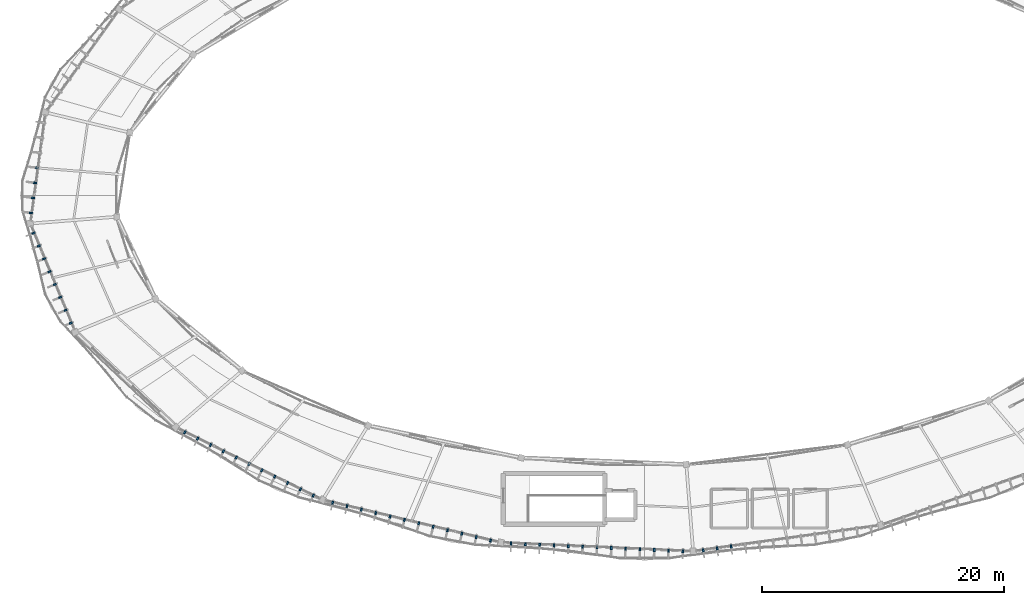
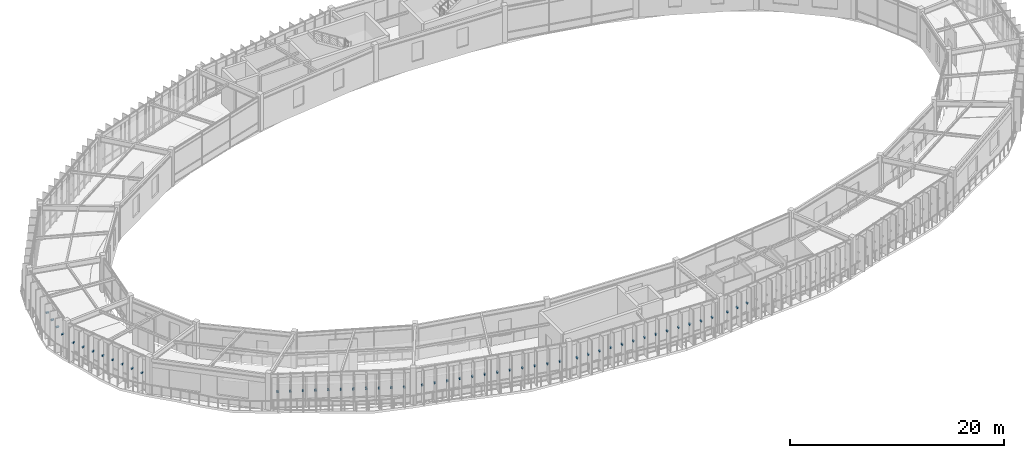
# One storey, part 71 of 78: 51 discrete accessories.
"""IFC4 building model written with IfcOpenShell, lengths in metres."""

from ifc_helpers import new_model, si_unit, direction, frame, origin, origin_2d, place, context, subcontext, project, spatial, rectangle, extrude, material, type_object, element, save


model = new_model("IFC4")

# Units and contexts
model_context = context("Model", 3, precision=1e-05, world=origin(), true_north=direction((0.0, 1.0)))
body_context = subcontext(model_context, "Body", "Model", "MODEL_VIEW")
ifc_project = project(units=[si_unit("LENGTHUNIT", "METRE"), si_unit("AREAUNIT", "SQUARE_METRE"), si_unit("VOLUMEUNIT", "CUBIC_METRE"), si_unit("PLANEANGLEUNIT", "RADIAN"), si_unit("MASSUNIT", "GRAM", prefix="KILO"), si_unit("THERMODYNAMICTEMPERATUREUNIT", "KELVIN"), si_unit("POWERUNIT", "WATT")], contexts=[model_context])

# Site, building, storey
site_placement = place(None, origin())
site = spatial("IfcSite", under=ifc_project, at=site_placement, CompositionType="ELEMENT")
building_placement = place(site_placement, origin())
building = spatial("IfcBuilding", under=site, at=building_placement, Name="Darbajah Civic Hall", CompositionType="ELEMENT")
storey_placement = place(building_placement, frame((0.0, 0.0, 26.39990234375)))
storey = spatial("IfcBuildingStorey", under=building, at=storey_placement, Name="L06", CompositionType="ELEMENT", Elevation=26.39990234375)

# Discrete accessories
ifc_material = material(Name="Stainless Steel S355JR", Category="steel")
discrete_accessory_type = type_object("IfcDiscreteAccessoryType", Name="Stainless Facade Support Bracket", PredefinedType="BRACKET", material=ifc_material)
for number, where, z_axis, x_axis, name in (
    (1, (38.82373046875, 92.093994140625, 1.89013671875), (0.0, 0.0, 1.0), (-0.990865897387, 0.134850930274, 0.0), "L06 shading fin bracket 09-4"),
    (2, (38.654541015625, 90.85107421875, 1.89013671875), (0.0, 0.0, 1.0), (-0.990865897387, 0.134850930274, 0.0), "L06 shading fin bracket 09-5"),
    (3, (38.4853515625, 89.60791015625, 1.89013671875), (0.0, 0.0, 1.0), (-0.990865897387, 0.134850930274, 0.0), "L06 shading fin bracket 09-6"),
    (4, (38.31640625, 88.36474609375, 1.89013671875), (0.0, 0.0, 1.0), (-0.990865897387, 0.134850930274, 0.0), "L06 shading fin bracket 09-7"),
    (5, (38.51904296875, 86.697998046875, 1.89013671875), (0.0, 0.0, 1.0), (-0.923612143954, -0.383328328644, 0.0), "L06 shading fin bracket 10-1"),
    (6, (38.960693359375, 85.63427734375, 1.89013671875), (0.0, 0.0, 1.0), (-0.923612143954, -0.383328328644, 0.0), "L06 shading fin bracket 10-2"),
    (7, (39.402099609375, 84.570556640625, 1.89013671875), (0.0, 0.0, 1.0), (-0.923612143954, -0.383328328644, 0.0), "L06 shading fin bracket 10-3"),
    (8, (39.843505859375, 83.507080078125, 1.89013671875), (0.0, 0.0, 1.0), (-0.923612143954, -0.383328328644, 0.0), "L06 shading fin bracket 10-4"),
    (9, (40.284912109375, 82.443359375, 1.89013671875), (0.0, 0.0, 1.0), (-0.923612143954, -0.383328328644, 0.0), "L06 shading fin bracket 10-5"),
    (10, (40.726318359375, 81.379638671875, 1.89013671875), (0.0, 0.0, 1.0), (-0.923612143954, -0.383328328644, 0.0), "L06 shading fin bracket 10-6"),
    (11, (41.16796875, 80.31591796875, 1.89013671875), (0.0, 0.0, 1.0), (-0.923612143954, -0.383328328644, 0.0), "L06 shading fin bracket 10-7"),
    (12, (41.609375, 79.252197265625, 1.89013671875), (0.0, 0.0, 1.0), (-0.923612143954, -0.383328328644, 0.0), "L06 shading fin bracket 10-8"),
    (13, (51.049560546875, 70.213623046875, 1.89013671875), (0.0, 0.0, 1.0), (-0.442914717678, -0.89656374724, 0.0), "L06 shading fin bracket 12-1"),
    (14, (52.111572265625, 69.68896484375, 1.89013671875), (0.0, 0.0, 1.0), (-0.442914717678, -0.89656374724, 0.0), "L06 shading fin bracket 12-2"),
    (15, (53.173583984375, 69.164306640625, 1.89013671875), (0.0, 0.0, 1.0), (-0.442914717678, -0.89656374724, 0.0), "L06 shading fin bracket 12-3"),
    (16, (54.235595703125, 68.6396484375, 1.89013671875), (0.0, 0.0, 1.0), (-0.442914717678, -0.89656374724, 0.0), "L06 shading fin bracket 12-4"),
    (17, (55.29736328125, 68.114990234375, 1.89013671875), (0.0, 0.0, 1.0), (-0.442914717678, -0.89656374724, 0.0), "L06 shading fin bracket 12-5"),
    (18, (56.359375, 67.59033203125, 1.89013671875), (0.0, 0.0, 1.0), (-0.442914717678, -0.89656374724, 0.0), "L06 shading fin bracket 12-6"),
    (19, (57.42138671875, 67.06591796875, 1.89013671875), (0.0, 0.0, 1.0), (-0.442914717678, -0.89656374724, 0.0), "L06 shading fin bracket 12-7"),
    (20, (58.4833984375, 66.541015625, 1.89013671875), (0.0, 0.0, 1.0), (-0.442914717678, -0.89656374724, 0.0), "L06 shading fin bracket 12-8"),
    (21, (59.545166015625, 66.0166015625, 1.89013671875), (0.0, 0.0, 1.0), (-0.442914717678, -0.89656374724, 0.0), "L06 shading fin bracket 12-9"),
    (22, (60.607177734375, 65.491943359375, 1.89013671875), (0.0, 0.0, 1.0), (-0.442914717678, -0.89656374724, 0.0), "L06 shading fin bracket 12-10"),
    (23, (61.669189453125, 64.96728515625, 1.89013671875), (0.0, 0.0, 1.0), (-0.442914717678, -0.89656374724, 0.0), "L06 shading fin bracket 12-11"),
    (24, (63.277587890625, 64.3876953125, 1.89013671875), (0.0, 0.0, 1.0), (-0.232936200179, -0.972492018808, 0.0), "L06 shading fin bracket 13-1"),
    (25, (64.465087890625, 64.103271484375, 1.89013671875), (0.0, 0.0, 1.0), (-0.232936200179, -0.972492018808, 0.0), "L06 shading fin bracket 13-2"),
    (26, (65.65283203125, 63.818603515625, 1.89013671875), (0.0, 0.0, 1.0), (-0.232936200179, -0.972492018808, 0.0), "L06 shading fin bracket 13-3"),
    (27, (66.84033203125, 63.5341796875, 1.89013671875), (0.0, 0.0, 1.0), (-0.232936200179, -0.972492018808, 0.0), "L06 shading fin bracket 13-4"),
    (28, (68.028076171875, 63.24951171875, 1.89013671875), (0.0, 0.0, 1.0), (-0.232936200179, -0.972492018808, 0.0), "L06 shading fin bracket 13-5"),
    (29, (69.2158203125, 62.965087890625, 1.89013671875), (0.0, 0.0, 1.0), (-0.232936200179, -0.972492018808, 0.0), "L06 shading fin bracket 13-6"),
    (30, (70.4033203125, 62.680419921875, 1.89013671875), (0.0, 0.0, 1.0), (-0.232936200179, -0.972492018808, 0.0), "L06 shading fin bracket 13-7"),
    (31, (71.5908203125, 62.39599609375, 1.89013671875), (0.0, 0.0, 1.0), (-0.232936200179, -0.972492018808, 0.0), "L06 shading fin bracket 13-8"),
    (32, (72.778564453125, 62.111328125, 1.89013671875), (0.0, 0.0, 1.0), (-0.232936200179, -0.972492018808, 0.0), "L06 shading fin bracket 13-9"),
    (33, (73.96630859375, 61.826904296875, 1.89013671875), (0.0, 0.0, 1.0), (-0.232936200179, -0.972492018808, 0.0), "L06 shading fin bracket 13-10"),
    (34, (75.15380859375, 61.542236328125, 1.89013671875), (0.0, 0.0, 1.0), (-0.232936200179, -0.972492018808, 0.0), "L06 shading fin bracket 13-11"),
    (35, (76.34130859375, 61.2578125, 1.89013671875), (0.0, 0.0, 1.0), (-0.232936200179, -0.972492018808, 0.0), "L06 shading fin bracket 13-12"),
    (36, (78.03564453125, 61.0166015625, 1.89013671875), (0.0, 0.0, 1.0), (-0.045537340693, -0.998962637241, 0.0), "L06 shading fin bracket 14-1"),
    (37, (79.220703125, 60.962890625, 1.89013671875), (0.0, 0.0, 1.0), (-0.045537340693, -0.998962637241, 0.0), "L06 shading fin bracket 14-2"),
    (38, (80.405517578125, 60.90869140625, 1.89013671875), (0.0, 0.0, 1.0), (-0.045537340693, -0.998962637241, 0.0), "L06 shading fin bracket 14-3"),
    (39, (81.59033203125, 60.85498046875, 1.89013671875), (0.0, 0.0, 1.0), (-0.045537340693, -0.998962637241, 0.0), "L06 shading fin bracket 14-4"),
    (40, (82.775390625, 60.80078125, 1.89013671875), (0.0, 0.0, 1.0), (-0.045537340693, -0.998962637241, 0.0), "L06 shading fin bracket 14-5"),
    (41, (83.960205078125, 60.7470703125, 1.89013671875), (0.0, 0.0, 1.0), (-0.045537340693, -0.998962637241, 0.0), "L06 shading fin bracket 14-6"),
    (42, (85.14501953125, 60.693115234375, 1.89013671875), (0.0, 0.0, 1.0), (-0.045537340693, -0.998962637241, 0.0), "L06 shading fin bracket 14-7"),
    (43, (86.330078125, 60.63916015625, 1.89013671875), (0.0, 0.0, 1.0), (-0.045537340693, -0.998962637241, 0.0), "L06 shading fin bracket 14-8"),
    (44, (87.514892578125, 60.585205078125, 1.89013671875), (0.0, 0.0, 1.0), (-0.045537340693, -0.998962637241, 0.0), "L06 shading fin bracket 14-9"),
    (45, (88.69970703125, 60.53125, 1.89013671875), (0.0, 0.0, 1.0), (-0.045537340693, -0.998962637241, 0.0), "L06 shading fin bracket 14-10"),
    (46, (89.884765625, 60.477294921875, 1.89013671875), (0.0, 0.0, 1.0), (-0.045537340693, -0.998962637241, 0.0), "L06 shading fin bracket 14-11"),
    (47, (91.069580078125, 60.42333984375, 1.89013671875), (0.0, 0.0, 1.0), (-0.045537340693, -0.998962637241, 0.0), "L06 shading fin bracket 14-12"),
    (48, (92.25439453125, 60.369384765625, 1.89013671875), (0.0, 0.0, 1.0), (-0.045537340693, -0.998962637241, 0.0), "L06 shading fin bracket 14-13"),
    (49, (93.936767578125, 60.4462890625, 1.89013671875), (0.0, 0.0, 1.0), (0.137617420457, -0.990485459553, 0.0), "L06 shading fin bracket 15-1"),
    (50, (95.091796875, 60.606689453125, 1.89013671875), (0.0, 0.0, 1.0), (0.137617420457, -0.990485459553, 0.0), "L06 shading fin bracket 15-2"),
    (51, (96.2470703125, 60.76708984375, 1.89013671875), (0.0, 0.0, 1.0), (0.137617420457, -0.990485459553, 0.0), "L06 shading fin bracket 15-3"),
):
    element("IfcDiscreteAccessory", number, at=place(storey_placement, frame(where, z_axis=z_axis, x_axis=x_axis)), inside=storey, type_object=discrete_accessory_type, Name=name, PredefinedType="BRACKET", context=body_context, shape_type="SweptSolid", body=[
        extrude(rectangle(XDim=0.260009765625, YDim=0.139892578125, at=origin_2d()), origin(), (0.0, 0.0, 1.0), 0.139892578125),
    ])

save(model, "model.ifc")
